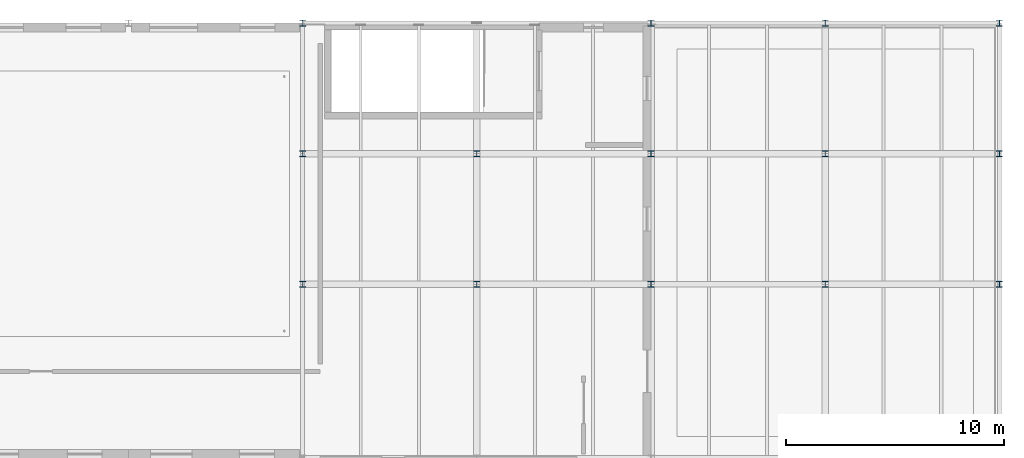
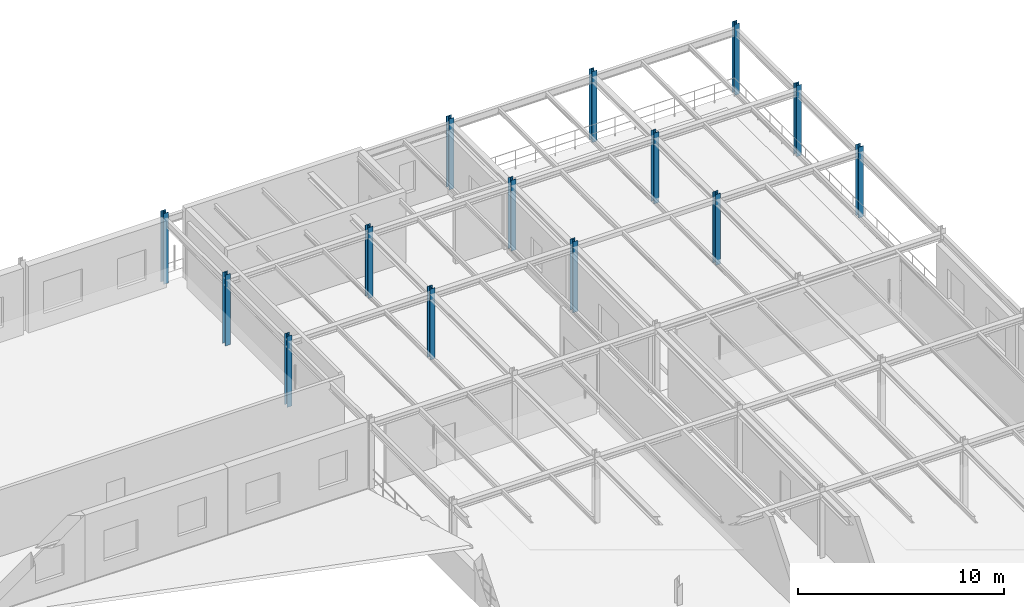
# One storey, part 18 of 124: 14 columns.
"""IFC4 building model written with IfcOpenShell, lengths in metres."""

from ifc_helpers import new_model, si_unit, direction, frame, origin, origin_2d, place, context, subcontext, project, spatial, i_section, extrude, material, material_profile, profile_set, type_object, element, save


model = new_model("IFC4")

# Units and contexts
model_context = context("Model", 3, precision=1e-05, world=origin(), true_north=direction((0.0, 1.0)))
body_context = subcontext(model_context, "Body", "Model", "MODEL_VIEW")
ifc_project = project(units=[si_unit("LENGTHUNIT", "METRE"), si_unit("AREAUNIT", "SQUARE_METRE"), si_unit("VOLUMEUNIT", "CUBIC_METRE"), si_unit("PLANEANGLEUNIT", "RADIAN"), si_unit("MASSUNIT", "GRAM", prefix="KILO")], contexts=[model_context])

# Site, building, storey
site_placement = place(None, origin())
site = spatial("IfcSite", under=ifc_project, at=site_placement, CompositionType="ELEMENT")
building_placement = place(site_placement, origin())
building = spatial("IfcBuilding", under=site, at=building_placement, Name="Sundkrona Museum", CompositionType="ELEMENT")
storey_placement = place(building_placement, frame((0.0, 0.0, 17.60009765625)))
storey = spatial("IfcBuildingStorey", under=building, at=storey_placement, Name="L03", CompositionType="ELEMENT", Elevation=17.60009765625)

# Columns
ifc_material = material(Name="Steel S355J2", Category="steel")
ifc_material_profile = material_profile(ifc_material, i_section(OverallWidth=0.280029296875, OverallDepth=0.280029296875, WebThickness=0.010498046875, FlangeThickness=0.01806640625, FilletRadius=0.02392578125, at=origin_2d()), Name="HEB 280")
ifc_profile_set = profile_set([ifc_material_profile], Name="Steel S355J2")
column_type = type_object("IfcColumnType", Name="C-HEB280", PredefinedType="COLUMN", material=ifc_profile_set)
for number, where, z_axis, x_axis, name in (
    (1, (136.0, 102.0, 0.0), (0.0, 0.0, 1.0), (1.0, 0.0, 0.0), "L03 Column P/18"),
    (2, (136.0, 108.0, 0.0), (0.0, 0.0, 1.0), (1.0, 0.0, 0.0), "L03 Column Q/18"),
    (3, (136.0, 114.0, 0.0), (0.0, 0.0, 1.0), (1.0, 0.0, 0.0), "L03 Column R/18"),
    (4, (144.0, 102.0, 0.0), (0.0, 0.0, 1.0), (1.0, 0.0, 0.0), "L03 Column P/19"),
    (5, (144.0, 108.0, 0.0), (0.0, 0.0, 1.0), (1.0, 0.0, 0.0), "L03 Column Q/19"),
    (6, (152.0, 102.0, 0.0), (0.0, 0.0, 1.0), (1.0, 0.0, 0.0), "L03 Column P/20"),
    (7, (152.0, 108.0, 0.0), (0.0, 0.0, 1.0), (1.0, 0.0, 0.0), "L03 Column Q/20"),
    (8, (152.0, 114.0, 0.0), (0.0, 0.0, 1.0), (1.0, 0.0, 0.0), "L03 Column R/20"),
    (9, (160.0, 102.0, 0.0), (0.0, 0.0, 1.0), (1.0, 0.0, 0.0), "L03 Column P/21"),
    (10, (160.0, 108.0, 0.0), (0.0, 0.0, 1.0), (1.0, 0.0, 0.0), "L03 Column Q/21"),
    (11, (160.0, 114.0, 0.0), (0.0, 0.0, 1.0), (1.0, 0.0, 0.0), "L03 Column R/21"),
    (12, (168.0, 102.0, 0.0), (0.0, 0.0, 1.0), (1.0, 0.0, 0.0), "L03 Column P/22"),
    (13, (168.0, 108.0, 0.0), (0.0, 0.0, 1.0), (1.0, 0.0, 0.0), "L03 Column Q/22"),
    (14, (168.0, 114.0, 0.0), (0.0, 0.0, 1.0), (1.0, 0.0, 0.0), "L03 Column R/22"),
):
    element("IfcColumn", number, at=place(storey_placement, frame(where, z_axis=z_axis, x_axis=x_axis)), inside=storey, type_object=column_type, Name=name, PredefinedType="COLUMN", context=body_context, shape_type="SweptSolid", body=[
        extrude(i_section(OverallWidth=0.280029296875, OverallDepth=0.280029296875, WebThickness=0.010498046875, FlangeThickness=0.01806640625, FilletRadius=0.02392578125, at=origin_2d()), origin(), (0.0, 0.0, 1.0), 4.199951171875),
    ])

save(model, "model.ifc")
